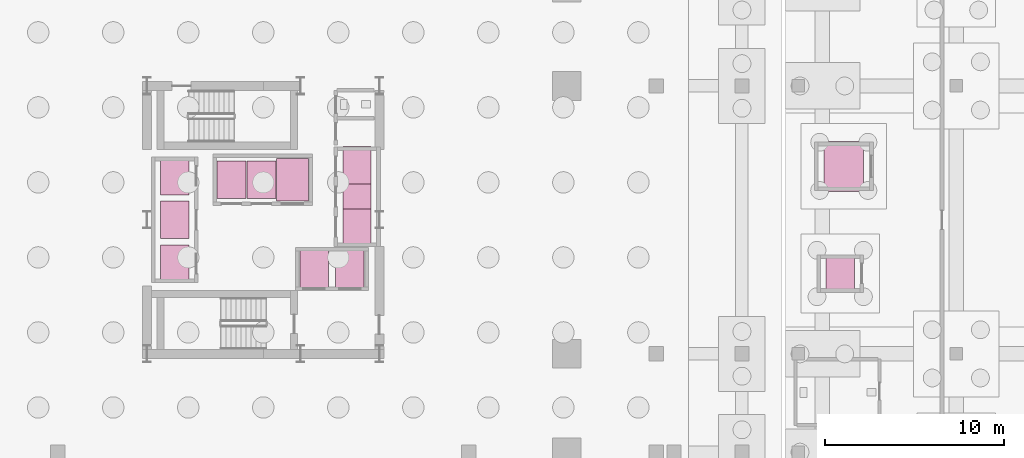
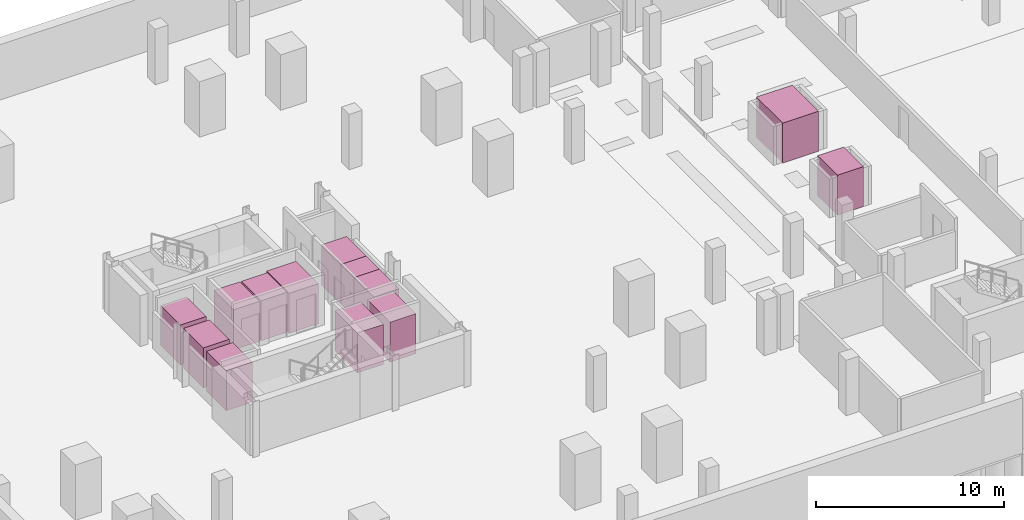
# One storey, part 13 of 13: 13 transport elements.
"""IFC4 building model written with IfcOpenShell, lengths in metres."""

from ifc_helpers import new_model, si_unit, direction, frame, origin, origin_2d, place, context, subcontext, project, spatial, rectangle, extrude, material, type_object, element, save


model = new_model("IFC4")

# Units and contexts
model_context = context("Model", 3, precision=1e-05, world=origin(), true_north=direction((0.0, 1.0)))
body_context = subcontext(model_context, "Body", "Model", "MODEL_VIEW")
ifc_project = project(units=[si_unit("LENGTHUNIT", "METRE"), si_unit("AREAUNIT", "SQUARE_METRE"), si_unit("VOLUMEUNIT", "CUBIC_METRE"), si_unit("PLANEANGLEUNIT", "RADIAN"), si_unit("MASSUNIT", "GRAM", prefix="KILO")], contexts=[model_context])

# Site, building, storey
site_placement = place(None, origin())
site = spatial("IfcSite", under=ifc_project, at=site_placement, CompositionType="ELEMENT")
building_placement = place(site_placement, origin())
building = spatial("IfcBuilding", under=site, at=building_placement, Name="Barlavira Tower and Art Museum", CompositionType="ELEMENT")
storey_placement = place(building_placement, frame((0.0, 0.0, -7.199951171875)))
storey = spatial("IfcBuildingStorey", under=building, at=storey_placement, Name="B02", CompositionType="ELEMENT", Elevation=-7.199951171875)

# Transport elements
ifc_material = material(Name="Brushed stainless steel", Category="steel")
transport_element_type_1 = type_object("IfcTransportElementType", Name="Elevator FF1 Firefighting Lift FF1 1800kg", PredefinedType="ELEVATOR", material=ifc_material)
transport_element_1_placement = place(storey_placement, frame((2.85009765625, -2.75, 0.0), z_axis=(0.0, 0.0, 1.0), x_axis=(1.0, 0.0, 0.0)))
element("IfcTransportElement", 1, at=transport_element_1_placement, inside=storey, type_object=transport_element_type_1, Name="Elevator FF1 Car (Firefighting Lift FF1)", PredefinedType="ELEVATOR", context=body_context, shape_type="SweptSolid", body=[
    extrude(rectangle(XDim=1.60009765625, YDim=2.39990234375, at=origin_2d()), origin(), (0.0, 0.0, 1.0), 2.60009765625),
])
transport_element_type_2 = type_object("IfcTransportElementType", Name="Elevator FF2 Firefighting Lift FF2 1800kg", PredefinedType="ELEVATOR", material=ifc_material)
transport_element_2_placement = place(storey_placement, frame((4.85009765625, -2.75, 0.0), z_axis=(0.0, 0.0, 1.0), x_axis=(1.0, 0.0, 0.0)))
element("IfcTransportElement", 2, at=transport_element_2_placement, inside=storey, type_object=transport_element_type_2, Name="Elevator FF2 Car (Firefighting Lift FF2)", PredefinedType="ELEVATOR", context=body_context, shape_type="SweptSolid", body=[
    extrude(rectangle(XDim=1.60009765625, YDim=2.39990234375, at=origin_2d()), origin(), (0.0, 0.0, 1.0), 2.60009765625),
])
transport_element_type_3 = type_object("IfcTransportElementType", Name="Elevator MG1 Museum Art Freight Lift MG1 4000kg", PredefinedType="ELEVATOR", material=ifc_material)
transport_element_3_placement = place(storey_placement, frame((32.5, 3.0, 0.0), z_axis=(0.0, 0.0, 1.0), x_axis=(1.0, 0.0, 0.0)))
element("IfcTransportElement", 3, at=transport_element_3_placement, inside=storey, type_object=transport_element_type_3, Name="Elevator MG1 Car (Museum Art Freight Lift MG1)", PredefinedType="ELEVATOR", context=body_context, shape_type="SweptSolid", body=[
    extrude(rectangle(XDim=2.199951171875, YDim=2.800048828125, at=origin_2d()), origin(), (0.0, 0.0, 1.0), 2.60009765625),
])
transport_element_type_4 = type_object("IfcTransportElementType", Name="Elevator ML1 Museum Passenger Lift ML1 1600kg", PredefinedType="ELEVATOR", material=ifc_material)
transport_element_4_placement = place(storey_placement, frame((32.300048828125, -3.0, 0.0), z_axis=(0.0, 0.0, 1.0), x_axis=(1.0, 0.0, 0.0)))
element("IfcTransportElement", 4, at=transport_element_4_placement, inside=storey, type_object=transport_element_type_4, Name="Elevator ML1 Car (Museum Passenger Lift ML1)", PredefinedType="ELEVATOR", context=body_context, shape_type="SweptSolid", body=[
    extrude(rectangle(XDim=1.60009765625, YDim=2.10009765625, at=origin_2d()), origin(), (0.0, 0.0, 1.0), 2.60009765625),
])
transport_element_type_5 = type_object("IfcTransportElementType", Name="Elevator PH1 Passenger Lift PH1 High-Rise 1600kg", PredefinedType="ELEVATOR", material=ifc_material)
transport_element_5_placement = place(storey_placement, frame((-1.780029296875, 2.25, 0.0), z_axis=(0.0, 0.0, 1.0), x_axis=(1.0, 0.0, 0.0)))
element("IfcTransportElement", 5, at=transport_element_5_placement, inside=storey, type_object=transport_element_type_5, Name="Elevator PH1 Car (Passenger Lift PH1 High-Rise)", PredefinedType="ELEVATOR", context=body_context, shape_type="SweptSolid", body=[
    extrude(rectangle(XDim=1.60009765625, YDim=2.10009765625, at=origin_2d()), origin(), (0.0, 0.0, 1.0), 2.60009765625),
])
transport_element_type_6 = type_object("IfcTransportElementType", Name="Elevator PH2 Passenger Lift PH2 High-Rise 1600kg", PredefinedType="ELEVATOR", material=ifc_material)
transport_element_6_placement = place(storey_placement, frame((-0.10009765625, 2.25, 0.0), z_axis=(0.0, 0.0, 1.0), x_axis=(1.0, 0.0, 0.0)))
element("IfcTransportElement", 6, at=transport_element_6_placement, inside=storey, type_object=transport_element_type_6, Name="Elevator PH2 Car (Passenger Lift PH2 High-Rise)", PredefinedType="ELEVATOR", context=body_context, shape_type="SweptSolid", body=[
    extrude(rectangle(XDim=1.60009765625, YDim=2.10009765625, at=origin_2d()), origin(), (0.0, 0.0, 1.0), 2.60009765625),
])
transport_element_type_7 = type_object("IfcTransportElementType", Name="Elevator PL1 Passenger Lift PL1 Low-Rise 1600kg", PredefinedType="ELEVATOR", material=ifc_material)
transport_element_7_placement = place(storey_placement, frame((-4.949951171875, -2.449951171875, 0.0), z_axis=(0.0, 0.0, 1.0), x_axis=(1.0, 0.0, 0.0)))
element("IfcTransportElement", 7, at=transport_element_7_placement, inside=storey, type_object=transport_element_type_7, Name="Elevator PL1 Car (Passenger Lift PL1 Low-Rise)", PredefinedType="ELEVATOR", context=body_context, shape_type="SweptSolid", body=[
    extrude(rectangle(XDim=1.60009765625, YDim=2.10009765625, at=origin_2d()), origin(), (0.0, 0.0, 1.0), 2.60009765625),
])
transport_element_type_8 = type_object("IfcTransportElementType", Name="Elevator PL2 Passenger Lift PL2 Low-Rise 1600kg", PredefinedType="ELEVATOR", material=ifc_material)
transport_element_8_placement = place(storey_placement, frame((-4.949951171875, 0.0, 0.0), z_axis=(0.0, 0.0, 1.0), x_axis=(1.0, 0.0, 0.0)))
element("IfcTransportElement", 8, at=transport_element_8_placement, inside=storey, type_object=transport_element_type_8, Name="Elevator PL2 Car (Passenger Lift PL2 Low-Rise)", PredefinedType="ELEVATOR", context=body_context, shape_type="SweptSolid", body=[
    extrude(rectangle(XDim=1.60009765625, YDim=2.10009765625, at=origin_2d()), origin(), (0.0, 0.0, 1.0), 2.60009765625),
])
transport_element_type_9 = type_object("IfcTransportElementType", Name="Elevator PL3 Passenger Lift PL3 Low-Rise 1600kg", PredefinedType="ELEVATOR", material=ifc_material)
transport_element_9_placement = place(storey_placement, frame((-4.949951171875, 2.449951171875, 0.0), z_axis=(0.0, 0.0, 1.0), x_axis=(1.0, 0.0, 0.0)))
element("IfcTransportElement", 9, at=transport_element_9_placement, inside=storey, type_object=transport_element_type_9, Name="Elevator PL3 Car (Passenger Lift PL3 Low-Rise)", PredefinedType="ELEVATOR", context=body_context, shape_type="SweptSolid", body=[
    extrude(rectangle(XDim=1.60009765625, YDim=2.10009765625, at=origin_2d()), origin(), (0.0, 0.0, 1.0), 2.60009765625),
])
transport_element_type_10 = type_object("IfcTransportElementType", Name="Elevator PM1 Passenger Lift PM1 Mid-Rise 1600kg", PredefinedType="ELEVATOR", material=ifc_material)
transport_element_10_placement = place(storey_placement, frame((5.25, -0.449951171875, 0.0), z_axis=(0.0, 0.0, 1.0), x_axis=(1.0, 0.0, 0.0)))
element("IfcTransportElement", 10, at=transport_element_10_placement, inside=storey, type_object=transport_element_type_10, Name="Elevator PM1 Car (Passenger Lift PM1 Mid-Rise)", PredefinedType="ELEVATOR", context=body_context, shape_type="SweptSolid", body=[
    extrude(rectangle(XDim=1.550048828125, YDim=2.10009765625, at=origin_2d()), origin(), (0.0, 0.0, 1.0), 2.60009765625),
])
transport_element_type_11 = type_object("IfcTransportElementType", Name="Elevator PM2 Passenger Lift PM2 Mid-Rise 1600kg", PredefinedType="ELEVATOR", material=ifc_material)
transport_element_11_placement = place(storey_placement, frame((5.25, 1.300048828125, 0.0), z_axis=(0.0, 0.0, 1.0), x_axis=(1.0, 0.0, 0.0)))
element("IfcTransportElement", 11, at=transport_element_11_placement, inside=storey, type_object=transport_element_type_11, Name="Elevator PM2 Car (Passenger Lift PM2 Mid-Rise)", PredefinedType="ELEVATOR", context=body_context, shape_type="SweptSolid", body=[
    extrude(rectangle(XDim=1.550048828125, YDim=2.10009765625, at=origin_2d()), origin(), (0.0, 0.0, 1.0), 2.60009765625),
])
transport_element_type_12 = type_object("IfcTransportElementType", Name="Elevator PM3 Passenger Lift PM3 Mid-Rise 1600kg", PredefinedType="ELEVATOR", material=ifc_material)
transport_element_12_placement = place(storey_placement, frame((5.25, 3.050048828125, 0.0), z_axis=(0.0, 0.0, 1.0), x_axis=(1.0, 0.0, 0.0)))
element("IfcTransportElement", 12, at=transport_element_12_placement, inside=storey, type_object=transport_element_type_12, Name="Elevator PM3 Car (Passenger Lift PM3 Mid-Rise)", PredefinedType="ELEVATOR", context=body_context, shape_type="SweptSolid", body=[
    extrude(rectangle(XDim=1.550048828125, YDim=2.10009765625, at=origin_2d()), origin(), (0.0, 0.0, 1.0), 2.60009765625),
])
transport_element_type_13 = type_object("IfcTransportElementType", Name="Elevator SL1 Service Goods Lift SL1 2500kg", PredefinedType="ELEVATOR", material=ifc_material)
transport_element_13_placement = place(storey_placement, frame((1.639892578125, 2.25, 0.0), z_axis=(0.0, 0.0, 1.0), x_axis=(1.0, 0.0, 0.0)))
element("IfcTransportElement", 13, at=transport_element_13_placement, inside=storey, type_object=transport_element_type_13, Name="Elevator SL1 Car (Service Goods Lift SL1)", PredefinedType="ELEVATOR", context=body_context, shape_type="SweptSolid", body=[
    extrude(rectangle(XDim=1.800048828125, YDim=2.39990234375, at=origin_2d()), origin(), (0.0, 0.0, 1.0), 2.60009765625),
])

save(model, "model.ifc")
